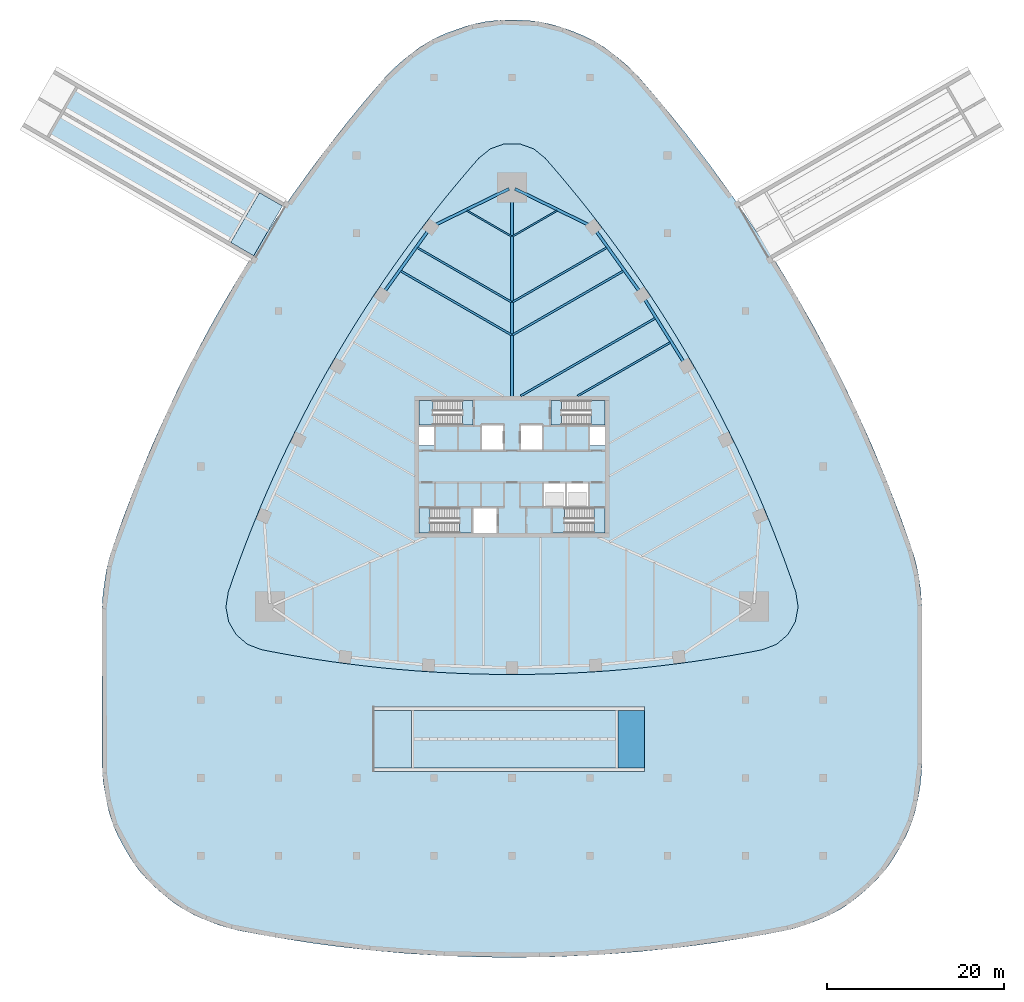
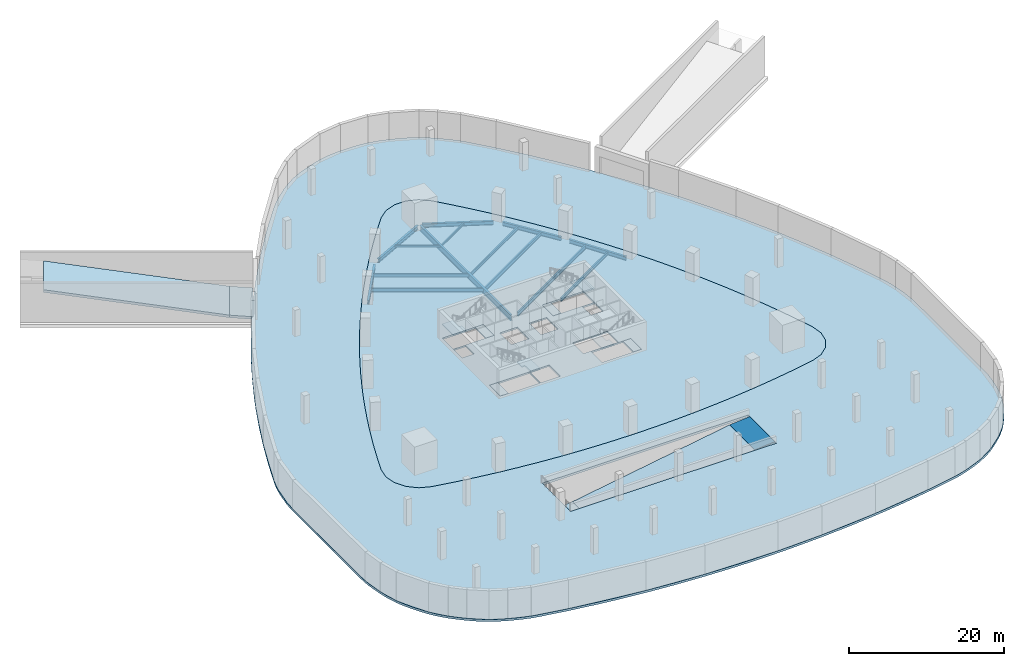
# One storey, part 2 of 10: 15 slabs, 14 beams, 4 elements without a shape of their own.
"""IFC4 building model written with IfcOpenShell, lengths in metres."""

from ifc_helpers import new_model, si_unit, direction, frame, origin, origin_2d, place, context, subcontext, project, spatial, polyline, i_section, outline, extrude, material, layer, layer_set, material_profile, profile_set, type_object, element, aggregate, save


model = new_model("IFC4")

# Units and contexts
model_context = context("Model", 3, precision=1e-05, world=origin(), true_north=direction((0.0, 1.0)))
body_context = subcontext(model_context, "Body", "Model", "MODEL_VIEW")
ifc_project = project(units=[si_unit("LENGTHUNIT", "METRE"), si_unit("AREAUNIT", "SQUARE_METRE"), si_unit("VOLUMEUNIT", "CUBIC_METRE"), si_unit("PLANEANGLEUNIT", "RADIAN"), si_unit("MASSUNIT", "GRAM", prefix="KILO")], contexts=[model_context])

# Site, building, storey
site_placement = place(None, origin())
site = spatial("IfcSite", under=ifc_project, at=site_placement, CompositionType="ELEMENT")
building_placement = place(site_placement, origin())
building = spatial("IfcBuilding", under=site, at=building_placement, Name="Sierra Prisma Convention Tower", CompositionType="ELEMENT")
storey_placement = place(building_placement, frame((0.0, 0.0, -4.5)))
storey = spatial("IfcBuildingStorey", under=building, at=storey_placement, Name="B1", CompositionType="ELEMENT", Elevation=-4.5)

# Beams
ifc_material_1 = material(Name="Steel ASTM A992 Gr 50", Category="steel")
ifc_material_profile_1 = material_profile(ifc_material_1, i_section(OverallWidth=0.172119140625, OverallDepth=0.35791015625, WebThickness=0.0078125, FlangeThickness=0.01318359375, at=origin_2d()), Name="W360x57")
ifc_profile_set_1 = profile_set([ifc_material_profile_1], Name="Steel ASTM A992 Gr 50")
beam_type_1 = type_object("IfcBeamType", Name="Floor joist W360x57", PredefinedType="JOIST", material=ifc_profile_set_1)
for number, where, z_axis, x_axis, name in (
    (1, (5.099609375, 28.95703125, -0.428955078125), (-0.866024171998, -0.500002133511, 0.0), (0.500002133511, -0.866024171998, 0.0), "Floor joist B1 NE16"),
    (2, (-5.099609375, 28.95703125, -0.428955078125), (0.866024171998, -0.500002133511, 0.0), (0.500002133511, 0.866024171998, 0.0), "Floor joist B1 NW02"),
):
    element("IfcBeam", number, at=place(storey_placement, frame(where, z_axis=z_axis, x_axis=x_axis)), inside=storey, type_object=beam_type_1, Name=name, PredefinedType="JOIST", context=body_context, shape_type="SweptSolid", body=[
        extrude(i_section(OverallWidth=0.172119140625, OverallDepth=0.35791015625, WebThickness=0.0078125, FlangeThickness=0.01318359375, at=origin_2d()), origin(), (0.0, 0.0, 1.0), 5.818359375),
    ])
ifc_material_2 = material(Name="Steel ASTM A992 Gr 50", Category="steel")
ifc_material_profile_2 = material_profile(ifc_material_2, i_section(OverallWidth=0.208984375, OverallDepth=0.532958984375, WebThickness=0.01025390625, FlangeThickness=0.015625, at=origin_2d()), Name="W530x92")
ifc_profile_set_2 = profile_set([ifc_material_profile_2], Name="Steel ASTM A992 Gr 50")
beam_type_2 = type_object("IfcBeamType", Name="Floor joist W530x92", PredefinedType="JOIST", material=ifc_profile_set_2)
beam_1_placement = place(storey_placement, frame((17.90380859375, 14.052978515625, -0.5166015625), z_axis=(-0.866021694642, -0.500006424369, 0.0), x_axis=(0.500006424369, -0.866021694642, 0.0)))
element("IfcBeam", 3, at=beam_1_placement, inside=storey, type_object=beam_type_2, Name="Floor joist B1 NE10", PredefinedType="JOIST", context=body_context, shape_type="SweptSolid", body=[
    extrude(i_section(OverallWidth=0.208984375, OverallDepth=0.532958984375, WebThickness=0.01025390625, FlangeThickness=0.015625, at=origin_2d()), origin(), (0.0, 0.0, 1.0), 12.105712890625),
])
for number, where, z_axis, x_axis, name in (
    (4, (10.72021484375, 24.769775390625, -0.5166015625), (-0.866031330991, -0.499989733636, 0.0), (0.499989733636, -0.866031330991, 0.0), "Floor joist B1 NE14"),
    (5, (-10.72021484375, 24.769775390625, -0.5166015625), (0.866031330991, -0.499989733636, 0.0), (0.499989733636, 0.866031330991, 0.0), "Floor joist B1 NW04"),
):
    element("IfcBeam", number, at=place(storey_placement, frame(where, z_axis=z_axis, x_axis=x_axis)), inside=storey, type_object=beam_type_2, Name=name, PredefinedType="JOIST", context=body_context, shape_type="SweptSolid", body=[
        extrude(i_section(OverallWidth=0.208984375, OverallDepth=0.532958984375, WebThickness=0.01025390625, FlangeThickness=0.015625, at=origin_2d()), origin(), (0.0, 0.0, 1.0), 12.308349609375),
    ])
ifc_material_3 = material(Name="Steel ASTM A992 Gr 50", Category="steel")
ifc_material_profile_3 = material_profile(ifc_material_3, i_section(OverallWidth=0.22802734375, OverallDepth=0.60302734375, WebThickness=0.010498046875, FlangeThickness=0.014892578125, at=origin_2d()), Name="W610x101")
ifc_profile_set_3 = profile_set([ifc_material_profile_3], Name="Steel ASTM A992 Gr 50")
beam_type_3 = type_object("IfcBeamType", Name="Floor joist W610x101", PredefinedType="JOIST", material=ifc_profile_set_3)
beam_2_placement = place(storey_placement, frame((16.203125, 16.787109375, -0.551513671875), z_axis=(-0.866025498715, -0.499999835575, 0.0), x_axis=(0.499999835575, -0.866025498715, 0.0)))
element("IfcBeam", 6, at=beam_2_placement, inside=storey, type_object=beam_type_3, Name="Floor joist B1 NE11", PredefinedType="JOIST", context=body_context, shape_type="SweptSolid", body=[
    extrude(i_section(OverallWidth=0.22802734375, OverallDepth=0.60302734375, WebThickness=0.010498046875, FlangeThickness=0.014892578125, at=origin_2d()), origin(), (0.0, 0.0, 1.0), 17.57421875),
])
for number, where, z_axis, x_axis, name in (
    (7, (12.60498046875, 22.14208984375, -0.551513671875), (-0.866024193569, -0.500002096149, 0.0), (0.500002096149, -0.866024193569, 0.0), "Floor joist B1 NE13"),
    (8, (-12.60498046875, 22.14208984375, -0.551513671875), (0.866024193569, -0.500002096149, 0.0), (0.500002096149, 0.866024193569, 0.0), "Floor joist B1 NW05"),
):
    element("IfcBeam", number, at=place(storey_placement, frame(where, z_axis=z_axis, x_axis=x_axis)), inside=storey, type_object=beam_type_3, Name=name, PredefinedType="JOIST", context=body_context, shape_type="SweptSolid", body=[
        extrude(i_section(OverallWidth=0.22802734375, OverallDepth=0.60302734375, WebThickness=0.010498046875, FlangeThickness=0.014892578125, at=origin_2d()), origin(), (0.0, 0.0, 1.0), 14.48486328125),
    ])
ifc_material_4 = material(Name="Steel ASTM A992 Gr 50", Category="steel")
ifc_material_profile_4 = material_profile(ifc_material_4, i_section(OverallWidth=0.303955078125, OverallDepth=0.903076171875, WebThickness=0.01513671875, FlangeThickness=0.02001953125, at=origin_2d()), Name="W920x201")
ifc_profile_set_4 = profile_set([ifc_material_profile_4], Name="Steel ASTM A992 Gr 50")
beam_type_4 = type_object("IfcBeamType", Name="Radial girder W920x201", PredefinedType="BEAM", material=ifc_profile_set_4)
beam_3_placement = place(storey_placement, frame((0.0, 31.2470703125, -0.701416015625), z_axis=(0.0, -1.0, 0.0), x_axis=(1.0, 0.0, 0.0)))
element("IfcBeam", 9, at=beam_3_placement, inside=storey, type_object=beam_type_4, Name="Radial girder B1 N", PredefinedType="BEAM", context=body_context, shape_type="SweptSolid", body=[
    extrude(i_section(OverallWidth=0.303955078125, OverallDepth=0.903076171875, WebThickness=0.01513671875, FlangeThickness=0.02001953125, at=origin_2d()), origin(), (0.0, 0.0, 1.0), 23.3671875),
])
ifc_material_5 = material(Name="Steel ASTM A992 Gr 50", Category="steel")
ifc_material_profile_5 = material_profile(ifc_material_5, i_section(OverallWidth=0.324951171875, OverallDepth=0.615966796875, WebThickness=0.013916015625, FlangeThickness=0.021484375, at=origin_2d()), Name="W610x174")
ifc_profile_set_5 = profile_set([ifc_material_profile_5], Name="Steel ASTM A992 Gr 50")
beam_type_5 = type_object("IfcBeamType", Name="Spandrel beam W610x174", PredefinedType="BEAM", material=ifc_profile_set_5)
beam_4_placement = place(storey_placement, frame((19.3955078125, 11.867919921875, -0.55810546875), z_axis=(-0.528185415417, 0.849129063771, 0.0), x_axis=(-0.849129063771, -0.528185415417, 0.0)))
element("IfcBeam", 10, at=beam_4_placement, inside=storey, type_object=beam_type_5, Name="Spandrel B1-10", PredefinedType="BEAM", context=body_context, shape_type="SweptSolid", body=[
    extrude(i_section(OverallWidth=0.324951171875, OverallDepth=0.615966796875, WebThickness=0.013916015625, FlangeThickness=0.021484375, at=origin_2d()), origin(), (0.0, 0.0, 1.0), 8.294677734375),
])
beam_5_placement = place(storey_placement, frame((14.36962890625, 19.87548828125, -0.55810546875), z_axis=(-0.582854647492, 0.812576433265, 0.0), x_axis=(-0.812576433265, -0.582854647492, 0.0)))
element("IfcBeam", 11, at=beam_5_placement, inside=storey, type_object=beam_type_5, Name="Spandrel B1-11", PredefinedType="BEAM", context=body_context, shape_type="SweptSolid", body=[
    extrude(i_section(OverallWidth=0.324951171875, OverallDepth=0.615966796875, WebThickness=0.013916015625, FlangeThickness=0.021484375, at=origin_2d()), origin(), (0.0, 0.0, 1.0), 8.294921875),
])
for number, where, z_axis, x_axis, name in (
    (12, (8.6025390625, 27.3779296875, -0.55810546875), (-0.89824258339, 0.439500012952, 0.0), (-0.439500012952, -0.89824258339, 0.0), "Spandrel B1-12"),
    (13, (-0.340087890625, 31.420654296875, -0.55810546875), (-0.89824258339, -0.439500012952, 0.0), (0.439500012952, -0.89824258339, 0.0), "Spandrel B1-13"),
):
    element("IfcBeam", number, at=place(storey_placement, frame(where, z_axis=z_axis, x_axis=x_axis)), inside=storey, type_object=beam_type_5, Name=name, PredefinedType="BEAM", context=body_context, shape_type="SweptSolid", body=[
        extrude(i_section(OverallWidth=0.324951171875, OverallDepth=0.615966796875, WebThickness=0.013916015625, FlangeThickness=0.021484375, at=origin_2d()), origin(), (0.0, 0.0, 1.0), 9.198486328125),
    ])
beam_6_placement = place(storey_placement, frame((-9.534912109375, 26.61572265625, -0.55810546875), z_axis=(-0.582854647492, -0.812576433265, 0.0), x_axis=(0.812576433265, -0.582854647492, 0.0)))
element("IfcBeam", 14, at=beam_6_placement, inside=storey, type_object=beam_type_5, Name="Spandrel B1-14", PredefinedType="BEAM", context=body_context, shape_type="SweptSolid", body=[
    extrude(i_section(OverallWidth=0.324951171875, OverallDepth=0.615966796875, WebThickness=0.013916015625, FlangeThickness=0.021484375, at=origin_2d()), origin(), (0.0, 0.0, 1.0), 8.294921875),
])

# Slabs
ifc_material_6 = material(Name="Concrete C35/45", Category="concrete")
ifc_layer_1 = layer(ifc_material_6, 0.35009765625)
ifc_layer_set_1 = layer_set([ifc_layer_1], Name="Car park ramp slab 350 C35/45")
slab_type_1 = type_object("IfcSlabType", Name="Car park ramp slab 350 C35/45", PredefinedType="LANDING", material=ifc_layer_set_1)
slab_1_placement = place(storey_placement, frame((15.0, -30.800048828125, -4.5), z_axis=(0.0, 0.0, 1.0), x_axis=(-1.0, 0.0, 0.0)))
element("IfcSlab", 15, at=slab_1_placement, inside=storey, type_object=slab_type_1, Name="Car park ramp R3 upper transition", PredefinedType="LANDING", context=body_context, shape_type="SweptSolid", body=[
    extrude(outline(polyline([(0.0, 0.0), (3.0, 0.0), (3.0, 4.25), (0.0, 4.5), (0.0, 0.0)])), frame((0.0, 3.25, 0.0), z_axis=(0.0, -1.0, 0.0), x_axis=(1.0, 0.0, 0.0)), (0.0, 0.0, 1.0), 6.5),
])
slab_2_placement = place(storey_placement, frame((12.0, -34.050048828125, -0.25), z_axis=(0.0, 0.0, 1.0), x_axis=(-1.0, 0.0, 0.0)))
element("IfcSlab", 16, at=slab_2_placement, inside=storey, type_object=slab_type_1, Name="Car park ramp R3 main flight", PredefinedType="LANDING", context=body_context, shape_type="SweptSolid", body=[
    extrude(outline(polyline([(0.0, -0.354736328125), (23.37109375, -4.25), (23.37109375, -3.895263671875), (0.0, 0.0), (0.0, -0.354736328125)])), frame((0.0, 0.0, 0.0), z_axis=(0.0, -1.0, 0.0), x_axis=(1.0, 0.0, 0.0)), (0.0, 0.0, 1.0), 6.5),
])
slab_3_placement = place(storey_placement, frame((-11.37109375, -30.800048828125, -4.5), z_axis=(0.0, 0.0, 1.0), x_axis=(-1.0, 0.0, 0.0)))
element("IfcSlab", 17, at=slab_3_placement, inside=storey, type_object=slab_type_1, Name="Car park ramp R3 foot transition", PredefinedType="LANDING", context=body_context, shape_type="SweptSolid", body=[
    extrude(outline(polyline([(0.0, 0.0), (4.2578125, 0.0), (4.2578125, 0.0), (0.0, 0.354736328125), (0.0, 0.0)])), frame((0.0, 3.25, 0.0), z_axis=(0.0, -1.0, 0.0), x_axis=(1.0, 0.0, 0.0)), (0.0, 0.0, 1.0), 6.5),
])
ifc_material_7 = material(Name="Concrete C35/45", Category="concrete")
ifc_layer_2 = layer(ifc_material_7, 0.39990234375)
ifc_layer_set_2 = layer_set([ifc_layer_2], Name="Car park ramp slab 400 C35/45")
slab_type_2 = type_object("IfcSlabType", Name="Car park ramp slab 400 C35/45", PredefinedType="LANDING", material=ifc_layer_set_2)
slab_4_placement = place(storey_placement, frame((-29.2099609375, 23.853271484375, 0.0), z_axis=(0.0, 0.0, 1.0), x_axis=(-0.866031096941, 0.499990139034, 0.0)))
element("IfcSlab", 18, at=slab_4_placement, inside=storey, type_object=slab_type_2, Name="Car park ramp R2 lower transition", PredefinedType="LANDING", context=body_context, shape_type="SweptSolid", body=[
    extrude(outline(polyline([(0.0, -0.4013671875), (3.0, -0.1513671875), (3.0, 0.25), (0.0, 0.0), (0.0, -0.4013671875)])), frame((0.0, 0.0, 0.0), z_axis=(0.0, -1.0, 0.0), x_axis=(1.0, 0.0, 0.0)), (0.0, 0.0, 1.0), 6.5),
])
slab_5_placement = place(storey_placement, frame((-31.80810546875, 25.353271484375, 0.25), z_axis=(0.0, 0.0, 1.0), x_axis=(-0.866026010844, 0.49999894854, 0.0)))
element("IfcSlab", 19, at=slab_5_placement, inside=storey, type_object=slab_type_2, Name="Car park ramp R2 main flight", PredefinedType="LANDING", context=body_context, shape_type="SweptSolid", body=[
    extrude(outline(polyline([(0.0, -0.405517578125), (24.0, 3.594482421875), (24.0, 4.0), (0.0, 0.0), (0.0, -0.405517578125)])), frame((0.0, 0.0, 0.0), z_axis=(0.0, -1.0, 0.0), x_axis=(1.0, 0.0, 0.0)), (0.0, 0.0, 1.0), 6.5),
])
ifc_material_8 = material(Name="Concrete C35/45", Category="concrete")
ifc_layer_3 = layer(ifc_material_8, 0.25)
ifc_layer_set_3 = layer_set([ifc_layer_3], Name="Convention floor slab 250")
slab_type_3 = type_object("IfcSlabType", Name="Convention floor slab 250", PredefinedType="FLOOR", material=ifc_layer_set_3)
slab_6_placement = place(storey_placement, frame((0.0, 0.0, -0.25)))
element("IfcSlab", 20, at=slab_6_placement, inside=storey, type_object=slab_type_3, Name="Floor slab B1 tower", PredefinedType="FLOOR", context=body_context, shape_type="SweptSolid", body=[
    extrude(outline(polyline([(-28.3349609375, -20.696533203125), (-26.403564453125, -21.06884765625), (-24.467529296875, -21.414794921875), (-22.52685546875, -21.734375), (-20.581787109375, -22.027587890625), (-18.63330078125, -22.29443359375), (-16.68115234375, -22.53466796875), (-14.725830078125, -22.748291015625), (-12.767822265625, -22.93505859375), (-10.8076171875, -23.095458984375), (-8.845458984375, -23.229248046875), (-6.88134765625, -23.336181640625), (-4.916259765625, -23.41650390625), (-2.9501953125, -23.469970703125), (-0.9833984375, -23.49658203125), (0.9833984375, -23.49658203125), (2.9501953125, -23.469970703125), (4.916259765625, -23.41650390625), (6.88134765625, -23.336181640625), (8.845458984375, -23.229248046875), (10.8076171875, -23.095458984375), (12.767822265625, -22.93505859375), (14.725830078125, -22.748291015625), (16.68115234375, -22.53466796875), (18.63330078125, -22.29443359375), (20.581787109375, -22.027587890625), (22.52685546875, -21.734375), (24.467529296875, -21.414794921875), (26.403564453125, -21.06884765625), (28.3349609375, -20.696533203125), (29.913818359375, -20.089111328125), (31.199951171875, -18.989990234375), (32.045654296875, -17.52490234375), (32.354736328125, -15.861572265625), (32.091064453125, -14.1904296875), (31.447998046875, -12.331787109375), (30.779541015625, -10.48193359375), (30.0859375, -8.6416015625), (29.367431640625, -6.810546875), (28.6240234375, -4.98974609375), (27.85595703125, -3.178955078125), (27.0634765625, -1.37890625), (26.246337890625, 0.41015625), (25.405029296875, 2.18798828125), (24.539794921875, 3.954345703125), (23.650390625, 5.70849609375), (22.7373046875, 7.45068359375), (21.800537109375, 9.18017578125), (20.84033203125, 10.896728515625), (19.85693359375, 12.60009765625), (18.8505859375, 14.289794921875), (17.821044921875, 15.9658203125), (16.76904296875, 17.62744140625), (15.6943359375, 19.27490234375), (14.597412109375, 20.907470703125), (13.478515625, 22.52490234375), (12.337646484375, 24.126953125), (11.175048828125, 25.713623046875), (9.990966796875, 27.283935546875), (8.78564453125, 28.83837890625), (7.559326171875, 30.3759765625), (6.31201171875, 31.89697265625), (5.04443359375, 33.400634765625), (3.75634765625, 34.886962890625), (2.440673828125, 35.95068359375), (0.845947265625, 36.514892578125), (-0.845947265625, 36.514892578125), (-2.440673828125, 35.95068359375), (-3.75634765625, 34.886962890625), (-5.04443359375, 33.400634765625), (-6.31201171875, 31.89697265625), (-7.559326171875, 30.3759765625), (-8.78564453125, 28.83837890625), (-9.990966796875, 27.283935546875), (-11.175048828125, 25.713623046875), (-12.337646484375, 24.126953125), (-13.478515625, 22.52490234375), (-14.597412109375, 20.907470703125), (-15.6943359375, 19.27490234375), (-16.76904296875, 17.62744140625), (-17.821044921875, 15.9658203125), (-18.8505859375, 14.289794921875), (-19.85693359375, 12.60009765625), (-20.84033203125, 10.896728515625), (-21.800537109375, 9.18017578125), (-22.7373046875, 7.45068359375), (-23.650390625, 5.70849609375), (-24.539794921875, 3.954345703125), (-25.405029296875, 2.18798828125), (-26.246337890625, 0.41015625), (-27.0634765625, -1.37890625), (-27.85595703125, -3.178955078125), (-28.6240234375, -4.98974609375), (-29.367431640625, -6.810546875), (-30.0859375, -8.6416015625), (-30.779541015625, -10.48193359375), (-31.447998046875, -12.331787109375), (-32.091064453125, -14.1904296875), (-32.354736328125, -15.861572265625), (-32.045654296875, -17.52490234375), (-31.199951171875, -18.989990234375), (-29.913818359375, -20.089111328125), (-28.3349609375, -20.696533203125)]), holes=[polyline([(-4.60009765625, -7.5), (-10.5, -7.5), (-10.5, -4.699951171875), (-4.60009765625, -4.699951171875), (-4.60009765625, -7.5)]), polyline([(-1.60009765625, -7.5), (-4.5, -7.5), (-4.5, -4.60009765625), (-1.60009765625, -4.60009765625), (-1.60009765625, -7.5)]), polyline([(-0.89990234375, 4.800048828125), (-0.89990234375, 1.800048828125), (-3.5, 1.800048828125), (-3.5, 4.800048828125), (-0.89990234375, 4.800048828125)]), polyline([(-8.699951171875, 2.39990234375), (-10.5, 2.39990234375), (-10.5, 4.60009765625), (-8.699951171875, 4.60009765625), (-8.699951171875, 2.39990234375)]), polyline([(-4.39990234375, 4.699951171875), (-10.5, 4.699951171875), (-10.5, 7.5), (-4.39990234375, 7.5), (-4.39990234375, 4.699951171875)]), polyline([(10.5, -4.699951171875), (10.5, -7.5), (4.60009765625, -7.5), (4.60009765625, -4.699951171875), (10.5, -4.699951171875)]), polyline([(8.699951171875, -1.800048828125), (8.699951171875, -4.60009765625), (6.10009765625, -4.60009765625), (3.5, -4.60009765625), (3.5, -1.800048828125), (6.10009765625, -1.800048828125), (8.699951171875, -1.800048828125)]), polyline([(3.5, 4.800048828125), (3.5, 1.800048828125), (0.89990234375, 1.800048828125), (0.89990234375, 4.800048828125), (3.5, 4.800048828125)]), polyline([(10.5, 2.39990234375), (8.699951171875, 2.39990234375), (8.699951171875, 4.60009765625), (10.5, 4.60009765625), (10.5, 2.39990234375)]), polyline([(10.5, 4.699951171875), (4.39990234375, 4.699951171875), (4.39990234375, 7.5), (10.5, 7.5), (10.5, 4.699951171875)])]), origin(), (0.0, 0.0, 1.0), 0.25),
])
ifc_material_9 = material(Name="Concrete C35/45", Category="concrete")
ifc_layer_4 = layer(ifc_material_9, 0.35009765625)
ifc_layer_set_4 = layer_set([ifc_layer_4], Name="Flat plate slab 350")
slab_type_4 = type_object("IfcSlabType", Name="Flat plate slab 350", PredefinedType="FLOOR", material=ifc_layer_set_4)
slab_7_placement = place(storey_placement, frame((0.0, 0.0, -0.35009765625)))
element("IfcSlab", 21, at=slab_7_placement, inside=storey, type_object=slab_type_4, Name="Floor slab B1 plate", PredefinedType="FLOOR", context=body_context, shape_type="SweptSolid", body=[
    extrude(outline(polyline([(-0.949462890625, -55.49658203125), (3.1064453125, -55.468994140625), (5.262939453125, -55.412109375), (9.762939453125, -55.198974609375), (14.1328125, -54.868408203125), (18.167724609375, -54.455322265625), (20.376708984375, -54.185302734375), (22.702392578125, -53.8662109375), (26.708984375, -53.234375), (29.020263671875, -52.822021484375), (31.199951171875, -52.39208984375), (31.758056640625, -52.258544921875), (33.15185546875, -51.833251953125), (34.67578125, -51.25732421875), (35.86865234375, -50.73681640625), (37.2607421875, -49.982177734375), (38.199462890625, -49.348388671875), (39.225341796875, -48.547607421875), (40.50048828125, -47.436279296875), (41.031494140625, -46.927978515625), (42.09228515625, -45.75244140625), (42.765869140625, -44.841796875), (43.4658203125, -43.74462890625), (44.0283203125, -42.770263671875), (44.628662109375, -41.615478515625), (45.236572265625, -40.1533203125), (45.568115234375, -39.0703125), (45.8623046875, -37.802490234375), (46.15087890625, -36.1904296875), (46.31689453125, -34.686279296875), (46.3544921875, -33.632080078125), (46.346923828125, -15.666259765625), (46.206787109375, -13.87548828125), (45.954833984375, -12.228515625), (45.761962890625, -11.231201171875), (45.5478515625, -10.3740234375), (45.2490234375, -9.4033203125), (43.89208984375, -5.577392578125), (42.38720703125, -1.66455078125), (40.73095703125, 2.3193359375), (38.99560546875, 6.19482421875), (37.962158203125, 8.37841796875), (36.121826171875, 12.069091796875), (34.127197265625, 15.81787109375), (31.964111328125, 19.62939453125), (29.732666015625, 23.32177734375), (27.4013671875, 26.952392578125), (24.90185546875, 30.6181640625), (22.3740234375, 34.114501953125), (19.709716796875, 37.593994140625), (16.993896484375, 40.946533203125), (14.481201171875, 43.888427734375), (13.789794921875, 44.632568359375), (13.154296875, 45.24658203125), (12.38720703125, 45.912353515625), (11.4638671875, 46.658935546875), (10.41650390625, 47.431640625), (9.4609375, 48.03955078125), (8.048828125, 48.755859375), (6.84228515625, 49.243896484375), (5.781494140625, 49.618896484375), (4.53662109375, 49.998291015625), (2.988037109375, 50.3291015625), (1.86279296875, 50.457275390625), (0.5625, 50.514892578125), (-1.12890625, 50.498779296875), (-1.86279296875, 50.457275390625), (-2.988037109375, 50.3291015625), (-4.53662109375, 49.998291015625), (-5.242431640625, 49.792724609375), (-7.370849609375, 49.039794921875), (-8.048828125, 48.755859375), (-9.067138671875, 48.260009765625), (-10.41650390625, 47.431640625), (-11.4638671875, 46.658935546875), (-12.724609375, 45.626953125), (-13.789794921875, 44.632568359375), (-14.481201171875, 43.888427734375), (-16.993896484375, 40.946533203125), (-18.52587890625, 39.07861328125), (-21.07470703125, 35.83642578125), (-22.487548828125, 33.96142578125), (-24.90185546875, 30.6181640625), (-27.2958984375, 27.11083984375), (-28.615966796875, 25.087646484375), (-30.797607421875, 21.587890625), (-32.94775390625, 17.926025390625), (-34.127197265625, 15.81787109375), (-36.06591796875, 12.177978515625), (-37.962158203125, 8.37841796875), (-38.99560546875, 6.19482421875), (-40.73095703125, 2.3193359375), (-42.341796875, -1.551025390625), (-43.89208984375, -5.577392578125), (-45.2490234375, -9.4033203125), (-45.5478515625, -10.3740234375), (-45.761962890625, -11.231201171875), (-45.954833984375, -12.228515625), (-46.26611328125, -14.379638671875), (-46.3544921875, -16.05712890625), (-46.3544921875, -33.632080078125), (-46.31689453125, -34.686279296875), (-46.232666015625, -35.60009765625), (-45.8623046875, -37.802490234375), (-45.568115234375, -39.0703125), (-45.080322265625, -40.576904296875), (-44.628662109375, -41.615478515625), (-44.0283203125, -42.770263671875), (-43.1689453125, -44.22705078125), (-42.765869140625, -44.841796875), (-42.09228515625, -45.75244140625), (-41.031494140625, -46.927978515625), (-40.08056640625, -47.816650390625), (-39.225341796875, -48.547607421875), (-38.199462890625, -49.348388671875), (-36.873046875, -50.213134765625), (-35.86865234375, -50.73681640625), (-34.67578125, -51.25732421875), (-33.15185546875, -51.833251953125), (-31.758056640625, -52.258544921875), (-30.767822265625, -52.4853515625), (-26.776123046875, -53.222900390625), (-22.702392578125, -53.8662109375), (-20.30908203125, -54.19384765625), (-16.0908203125, -54.681396484375), (-11.9150390625, -55.051513671875), (-7.6767578125, -55.313720703125), (-3.364990234375, -55.4638671875), (-0.949462890625, -55.49658203125)]), holes=[polyline([(-26.403564453125, -21.06884765625), (-28.3349609375, -20.696533203125), (-29.913818359375, -20.089111328125), (-31.199951171875, -18.989990234375), (-32.045654296875, -17.52490234375), (-32.354736328125, -15.861572265625), (-32.091064453125, -14.1904296875), (-31.447998046875, -12.331787109375), (-30.779541015625, -10.48193359375), (-30.0859375, -8.6416015625), (-29.367431640625, -6.810546875), (-28.6240234375, -4.98974609375), (-27.85595703125, -3.178955078125), (-27.0634765625, -1.37890625), (-26.246337890625, 0.41015625), (-25.405029296875, 2.18798828125), (-24.539794921875, 3.954345703125), (-23.650390625, 5.70849609375), (-22.7373046875, 7.45068359375), (-21.800537109375, 9.18017578125), (-20.84033203125, 10.896728515625), (-19.85693359375, 12.60009765625), (-18.8505859375, 14.289794921875), (-17.821044921875, 15.9658203125), (-16.76904296875, 17.62744140625), (-15.6943359375, 19.27490234375), (-14.597412109375, 20.907470703125), (-13.478515625, 22.52490234375), (-12.337646484375, 24.126953125), (-11.175048828125, 25.713623046875), (-9.990966796875, 27.283935546875), (-8.78564453125, 28.83837890625), (-7.559326171875, 30.3759765625), (-6.31201171875, 31.89697265625), (-5.04443359375, 33.400634765625), (-3.75634765625, 34.886962890625), (-2.440673828125, 35.95068359375), (-0.845947265625, 36.514892578125), (0.845947265625, 36.514892578125), (2.440673828125, 35.95068359375), (3.75634765625, 34.886962890625), (5.04443359375, 33.400634765625), (6.31201171875, 31.89697265625), (7.559326171875, 30.3759765625), (8.78564453125, 28.83837890625), (9.990966796875, 27.283935546875), (11.175048828125, 25.713623046875), (12.337646484375, 24.126953125), (13.478515625, 22.52490234375), (14.597412109375, 20.907470703125), (15.6943359375, 19.27490234375), (16.76904296875, 17.62744140625), (17.821044921875, 15.9658203125), (18.8505859375, 14.289794921875), (19.85693359375, 12.60009765625), (20.84033203125, 10.896728515625), (21.800537109375, 9.18017578125), (22.7373046875, 7.45068359375), (23.650390625, 5.70849609375), (24.539794921875, 3.954345703125), (25.405029296875, 2.18798828125), (26.246337890625, 0.41015625), (27.0634765625, -1.37890625), (27.85595703125, -3.178955078125), (28.6240234375, -4.98974609375), (29.367431640625, -6.810546875), (30.0859375, -8.6416015625), (30.779541015625, -10.48193359375), (31.447998046875, -12.331787109375), (32.091064453125, -14.1904296875), (32.354736328125, -15.861572265625), (32.045654296875, -17.52490234375), (31.199951171875, -18.989990234375), (29.913818359375, -20.089111328125), (28.3349609375, -20.696533203125), (26.403564453125, -21.06884765625), (24.467529296875, -21.414794921875), (22.52685546875, -21.734375), (20.581787109375, -22.027587890625), (18.63330078125, -22.29443359375), (16.68115234375, -22.53466796875), (14.725830078125, -22.748291015625), (12.767822265625, -22.93505859375), (10.8076171875, -23.095458984375), (8.845458984375, -23.229248046875), (6.88134765625, -23.336181640625), (4.916259765625, -23.41650390625), (2.9501953125, -23.469970703125), (0.9833984375, -23.49658203125), (-0.9833984375, -23.49658203125), (-2.9501953125, -23.469970703125), (-4.916259765625, -23.41650390625), (-6.88134765625, -23.336181640625), (-8.845458984375, -23.229248046875), (-10.8076171875, -23.095458984375), (-12.767822265625, -22.93505859375), (-14.725830078125, -22.748291015625), (-16.68115234375, -22.53466796875), (-18.63330078125, -22.29443359375), (-20.581787109375, -22.027587890625), (-22.52685546875, -21.734375), (-24.467529296875, -21.414794921875), (-26.403564453125, -21.06884765625)]), polyline([(15.0, -27.14990234375), (15.0, -34.449951171875), (-15.62890625, -34.449951171875), (-15.62890625, -27.14990234375), (15.0, -27.14990234375)])]), origin(), (0.0, 0.0, 1.0), 0.35009765625),
])

# Stair, slab
ifc_material_10 = material(Name="Concrete C30/37", Category="concrete")
stair_type = type_object("IfcStairType", Name="Stair dog-leg 1200 RC", PredefinedType="HALF_TURN_STAIR", material=ifc_material_10)
stair_1_placement = place(storey_placement, origin())
stair_1 = element("IfcStair", 22, at=stair_1_placement, inside=storey, type_object=stair_type, Name="B1 S1", PredefinedType="HALF_TURN_STAIR")
ifc_material_11 = material(Name="Concrete C35/45", Category="concrete")
ifc_layer_5 = layer(ifc_material_11, 0.199951171875)
ifc_layer_set_5 = layer_set([ifc_layer_5], Name="Stair landing slab")
slab_type_5 = type_object("IfcSlabType", Name="Stair landing slab", PredefinedType="LANDING", material=ifc_layer_set_5)
slab_8_placement = place(storey_placement, frame((0.0, 0.0, 2.050048828125)))
slab_8 = element("IfcSlab", 23, at=slab_8_placement, type_object=slab_type_5, Name="S1 landing 1", PredefinedType="LANDING", context=body_context, shape_type="SweptSolid", body=[
    extrude(outline(polyline([(-4.60009765625, -4.699951171875), (-4.60009765625, -7.5), (-5.94189453125, -7.5), (-5.94189453125, -5.89990234375), (-6.389892578125, -5.89990234375), (-6.389892578125, -4.699951171875), (-4.60009765625, -4.699951171875)])), origin(), (0.0, 0.0, 1.0), 0.199951171875),
])
aggregate(stair_1, [slab_8])

# Slab
slab_9_placement = place(storey_placement, frame((0.0, 0.0, -0.199951171875)))
element("IfcSlab", 24, at=slab_9_placement, inside=storey, type_object=slab_type_5, Name="S1 floor landing B1", PredefinedType="LANDING", context=body_context, shape_type="SweptSolid", body=[
    extrude(outline(polyline([(-10.5, -7.5), (-9.298095703125, -7.5), (-9.298095703125, -4.699951171875), (-10.5, -4.699951171875), (-10.5, -7.5)])), origin(), (0.0, 0.0, 1.0), 0.199951171875),
])

# Stair, slab
stair_2_placement = place(storey_placement, origin())
stair_2 = element("IfcStair", 25, at=stair_2_placement, inside=storey, type_object=stair_type, Name="B1 S2", PredefinedType="HALF_TURN_STAIR")
slab_10_placement = place(storey_placement, frame((0.0, 0.0, 2.050048828125)))
slab_10 = element("IfcSlab", 26, at=slab_10_placement, type_object=slab_type_5, Name="S2 landing 1", PredefinedType="LANDING", context=body_context, shape_type="SweptSolid", body=[
    extrude(outline(polyline([(6.389892578125, -6.300048828125), (6.389892578125, -7.5), (4.60009765625, -7.5), (4.60009765625, -4.699951171875), (5.94189453125, -4.699951171875), (5.94189453125, -6.300048828125), (6.389892578125, -6.300048828125)])), origin(), (0.0, 0.0, 1.0), 0.199951171875),
])
aggregate(stair_2, [slab_10])

# Slab
slab_11_placement = place(storey_placement, frame((0.0, 0.0, -0.199951171875)))
element("IfcSlab", 27, at=slab_11_placement, inside=storey, type_object=slab_type_5, Name="S2 floor landing B1", PredefinedType="LANDING", context=body_context, shape_type="SweptSolid", body=[
    extrude(outline(polyline([(10.5, -4.699951171875), (9.298095703125, -4.699951171875), (9.298095703125, -7.5), (10.5, -7.5), (10.5, -4.699951171875)])), origin(), (0.0, 0.0, 1.0), 0.199951171875),
])

# Stair, slab
stair_3_placement = place(storey_placement, origin())
stair_3 = element("IfcStair", 28, at=stair_3_placement, inside=storey, type_object=stair_type, Name="B1 S3", PredefinedType="HALF_TURN_STAIR")
slab_12_placement = place(storey_placement, frame((0.0, 0.0, 2.050048828125)))
slab_12 = element("IfcSlab", 29, at=slab_12_placement, type_object=slab_type_5, Name="S3 landing 1", PredefinedType="LANDING", context=body_context, shape_type="SweptSolid", body=[
    extrude(outline(polyline([(-8.510009765625, 5.89990234375), (-8.510009765625, 4.699951171875), (-10.5, 4.699951171875), (-10.5, 7.5), (-8.9580078125, 7.5), (-8.9580078125, 5.89990234375), (-8.510009765625, 5.89990234375)])), origin(), (0.0, 0.0, 1.0), 0.199951171875),
])
aggregate(stair_3, [slab_12])

# Slab
slab_13_placement = place(storey_placement, frame((0.0, 0.0, -0.199951171875)))
element("IfcSlab", 30, at=slab_13_placement, inside=storey, type_object=slab_type_5, Name="S3 floor landing B1", PredefinedType="LANDING", context=body_context, shape_type="SweptSolid", body=[
    extrude(outline(polyline([(-4.39990234375, 7.5), (-5.60205078125, 7.5), (-5.60205078125, 4.699951171875), (-4.39990234375, 4.699951171875), (-4.39990234375, 7.5)])), origin(), (0.0, 0.0, 1.0), 0.199951171875),
])

# Stair, slab
stair_4_placement = place(storey_placement, origin())
stair_4 = element("IfcStair", 31, at=stair_4_placement, inside=storey, type_object=stair_type, Name="B1 S4", PredefinedType="HALF_TURN_STAIR")
slab_14_placement = place(storey_placement, frame((0.0, 0.0, 2.050048828125)))
slab_14 = element("IfcSlab", 32, at=slab_14_placement, type_object=slab_type_5, Name="S4 landing 1", PredefinedType="LANDING", context=body_context, shape_type="SweptSolid", body=[
    extrude(outline(polyline([(10.5, 7.5), (10.5, 4.699951171875), (8.9580078125, 4.699951171875), (8.9580078125, 6.300048828125), (8.510009765625, 6.300048828125), (8.510009765625, 7.5), (10.5, 7.5)])), origin(), (0.0, 0.0, 1.0), 0.199951171875),
])
aggregate(stair_4, [slab_14])

# Slab
slab_15_placement = place(storey_placement, frame((0.0, 0.0, -0.199951171875)))
element("IfcSlab", 33, at=slab_15_placement, inside=storey, type_object=slab_type_5, Name="S4 floor landing B1", PredefinedType="LANDING", context=body_context, shape_type="SweptSolid", body=[
    extrude(outline(polyline([(4.39990234375, 4.699951171875), (5.60205078125, 4.699951171875), (5.60205078125, 7.5), (4.39990234375, 7.5), (4.39990234375, 4.699951171875)])), origin(), (0.0, 0.0, 1.0), 0.199951171875),
])

save(model, "model.ifc")
